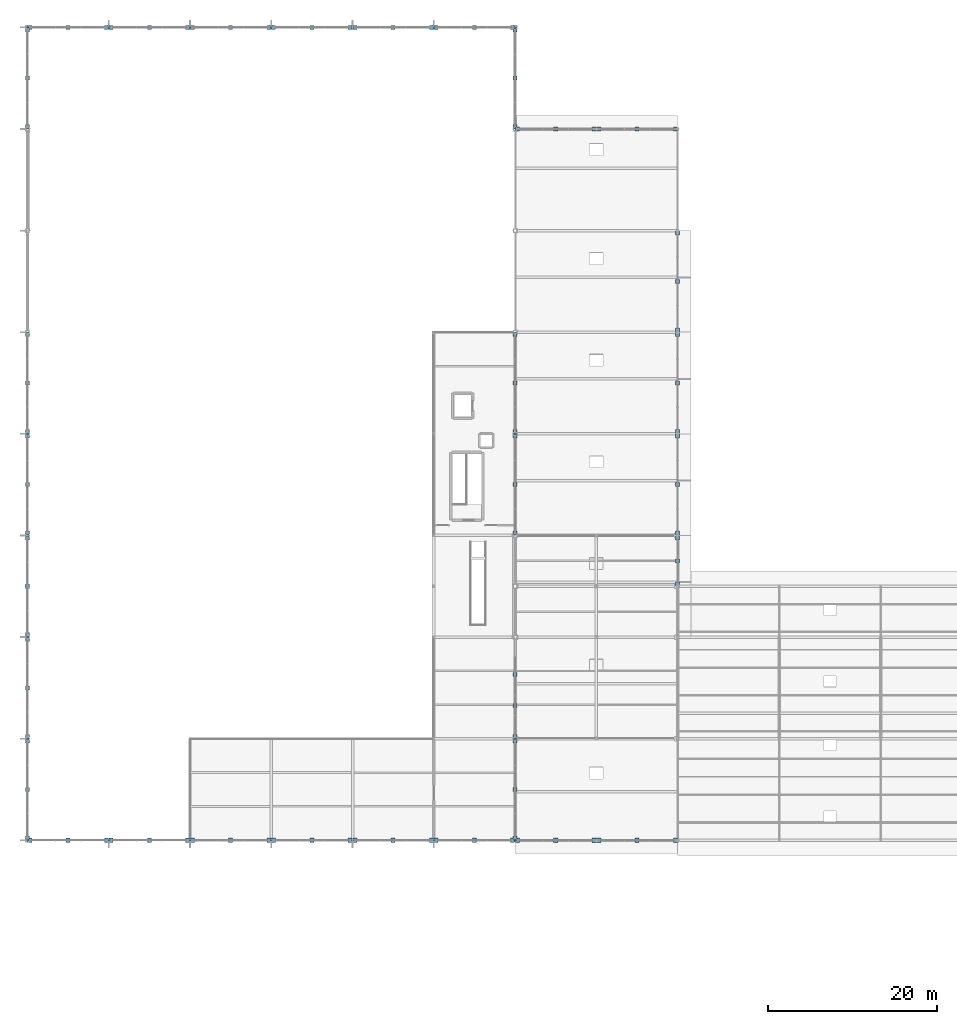
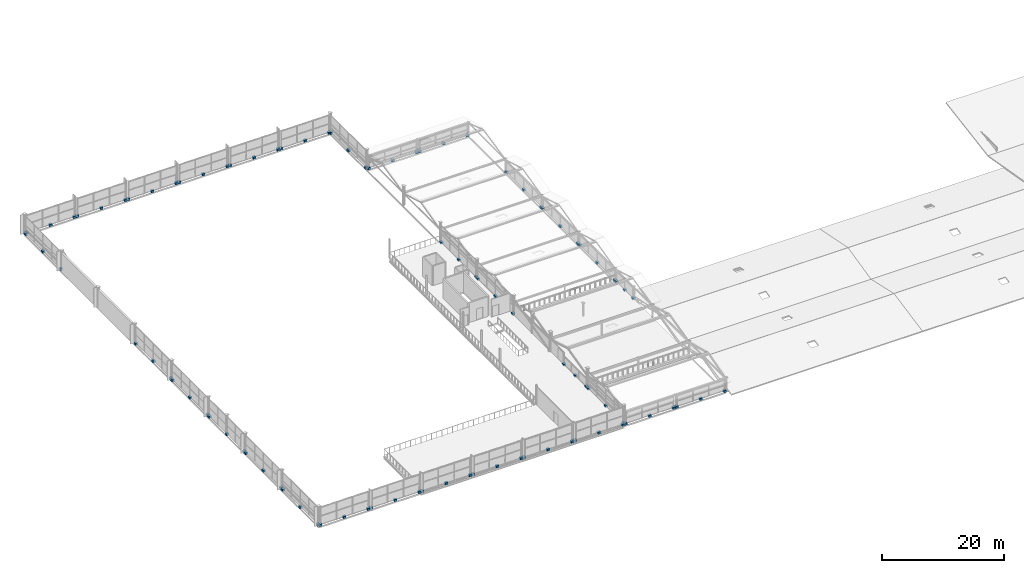
# One storey, part 110 of 117: 93 discrete accessories.
"""IFC4 building model written with IfcOpenShell, lengths in metres."""

import ifcopenshell
import ifcopenshell.guid

model = None  # the IFC model being written
_history = None  # IfcOwnerHistory: only IFC2X3 demands one
_inside = {}  # id of a spatial element -> (the spatial element, [elements in it])
_under = {}  # id of a project, library or spatial element -> (it, [spatial elements below it])
_declared = {}  # id of a project -> (the project, [libraries it declares])
_typed = {}  # id of a type object -> (the type object, [elements of that type])
_made_of = {}  # id of a material, layer set ... -> (it, [elements and type objects made of it])


def new_model(schema):
    """Start an empty IFC model of exactly this schema.

    Asked for "IFC4X3", IfcOpenShell would pick the latest addendum, in which some entities
    have other attributes; the version numbers below select the first issue.
    IFC2X3 requires an IfcOwnerHistory on every rooted entity: one is made here for all.
    """
    global model, _history
    if schema == "IFC4X3":
        model = ifcopenshell.file(schema_version=(4, 3, 0, 0))
    else:
        model = ifcopenshell.file(schema=schema)
    _inside.clear()
    _under.clear()
    _declared.clear()
    _typed.clear()
    _made_of.clear()
    _history = None
    if model.schema == "IFC2X3":
        org = make("IfcOrganization", Name="unknown")
        user = make(
            "IfcPersonAndOrganization",
            ThePerson=make("IfcPerson", FamilyName="unknown"),
            TheOrganization=org,
        )
        app = make(
            "IfcApplication",
            ApplicationDeveloper=org,
            Version="unknown",
            ApplicationFullName="unknown",
            ApplicationIdentifier="unknown",
        )
        _history = make(
            "IfcOwnerHistory",
            OwningUser=user,
            OwningApplication=app,
            ChangeAction="ADDED",
            CreationDate=0,
        )
    return model


def make(cls, **values):
    """One entity of the class cls with the attributes given. An attribute that is None is left unset."""
    return model.create_entity(
        cls, **{name: value for name, value in values.items() if value is not None}
    )


def rooted(cls, **values):
    """An entity with a GlobalId (a new one), such as an element, a storey or a relation."""
    return make(cls, GlobalId=ifcopenshell.guid.new(), OwnerHistory=_history, **values)


def si_unit(unit_type, name, prefix=None):
    """IfcSIUnit, for example si_unit("LENGTHUNIT", "METRE", prefix="MILLI")."""
    return make("IfcSIUnit", UnitType=unit_type, Prefix=prefix, Name=name)


def assignment(units):
    """IfcUnitAssignment: the units of a project."""
    return None if units is None else make("IfcUnitAssignment", Units=units)


def point(xyz):
    """IfcCartesianPoint."""
    return None if xyz is None else make("IfcCartesianPoint", Coordinates=xyz)


def direction(xyz):
    """IfcDirection."""
    return None if xyz is None else make("IfcDirection", DirectionRatios=xyz)


def frame(location, z_axis=None, x_axis=None):
    """IfcAxis2Placement3D, a coordinate frame: its origin and axes. An axis left out is left unset."""
    return make(
        "IfcAxis2Placement3D",
        Location=point(location),
        Axis=direction(z_axis),
        RefDirection=direction(x_axis),
    )


def frame_2d(location, x_axis=None):
    """IfcAxis2Placement2D, a coordinate frame in the plane: its origin and x axis."""
    return make(
        "IfcAxis2Placement2D", Location=point(location), RefDirection=direction(x_axis)
    )


def origin():
    """The frame at (0, 0, 0) with its axes left unset."""
    return frame((0.0, 0.0, 0.0))


def origin_2d():
    """The frame at (0, 0) in the plane with its x axis left unset."""
    return frame_2d((0.0, 0.0))


def place(relative_to, where):
    """IfcLocalPlacement: puts the frame where relative to a parent placement (None: the world)."""
    return make(
        "IfcLocalPlacement", PlacementRelTo=relative_to, RelativePlacement=where
    )


def context(
    kind, dimensions, precision=None, world=None, true_north=None, identifier=None
):
    """IfcGeometricRepresentationContext, for example the 3D "Model" context."""
    return make(
        "IfcGeometricRepresentationContext",
        ContextIdentifier=identifier,
        ContextType=kind,
        CoordinateSpaceDimension=dimensions,
        Precision=precision,
        WorldCoordinateSystem=world,
        TrueNorth=true_north,
    )


def subcontext(parent, identifier, kind, view, scale=None):
    """IfcGeometricRepresentationSubContext, for example "Body" below "Model"."""
    return make(
        "IfcGeometricRepresentationSubContext",
        ContextIdentifier=identifier,
        ContextType=kind,
        ParentContext=parent,
        TargetScale=scale,
        TargetView=view,
    )


def project(units=None, contexts=None):
    """IfcProject with its units and contexts."""
    return rooted(
        "IfcProject",
        Name="project",
        RepresentationContexts=contexts,
        UnitsInContext=assignment(units),
    )


def spatial(cls, under=None, at=None, **own):
    """A site, building, storey or space (cls), placed at a placement, below another one or the project."""
    s = rooted(cls, ObjectPlacement=at, **own)
    if under is not None:
        _under.setdefault(under.id(), (under, []))[1].append(s)
    return s


def profile(cls, at=None, kind="AREA", **sizes):
    """A parametric profile (cls). Its sizes go by their IFC names, for example OverallWidth=200.0."""
    return make(cls, ProfileType=kind, Position=at, **sizes)


def rectangle(**sizes):
    """IfcRectangleProfileDef."""
    return profile("IfcRectangleProfileDef", **sizes)


def extrude(swept, where, along, depth):
    """IfcExtrudedAreaSolid: the profile swept, set in the frame where, extruded along a direction by depth."""
    return make(
        "IfcExtrudedAreaSolid",
        SweptArea=swept,
        Position=where,
        ExtrudedDirection=direction(along),
        Depth=depth,
    )


def shape(context_of_items, identifier, shape_type, items):
    """IfcShapeRepresentation: the items that make up one representation, for example the "Body"."""
    return make(
        "IfcShapeRepresentation",
        ContextOfItems=context_of_items,
        RepresentationIdentifier=identifier,
        RepresentationType=shape_type,
        Items=items,
    )


def material(Name=None, Category=None):
    """IfcMaterial."""
    return make("IfcMaterial", Name=Name, Category=Category)


def layer(
    of_material, thickness, ventilated=None, Name=None, Category=None, Priority=None
):
    """IfcMaterialLayer: one layer of a wall or slab, of a material (None: an air gap)."""
    return make(
        "IfcMaterialLayer",
        Material=of_material,
        LayerThickness=thickness,
        IsVentilated=ventilated,
        Name=Name,
        Category=Category,
        Priority=Priority,
    )


def layer_set(layers, Name=None):
    """IfcMaterialLayerSet."""
    return make("IfcMaterialLayerSet", MaterialLayers=layers, LayerSetName=Name)


def made_of(thing, what):
    """Note that an element or type object is made of a material, layer set ...; save() writes the relation."""
    if what is not None:
        _made_of.setdefault(what.id(), (what, []))[1].append(thing)
    return thing


def type_object(cls, material=None, **own):
    """A type object (cls), such as IfcWallType, which elements share."""
    return made_of(rooted(cls, **own), material)


def element(
    cls,
    number,
    at=None,
    inside=None,
    cuts=None,
    type_object=None,
    material=None,
    context=None,
    identifier="Body",
    shape_type=None,
    held_by="IfcProductDefinitionShape",
    body=None,
    shapes=None,
    **own,
):
    """One element of the class cls, such as IfcWall. Its Tag is "e" and its number.

    at: its placement. inside: the storey or other place that contains it. cuts: it is an
    opening in that element (IfcRelVoidsElement). A single representation is given by context,
    identifier, shape_type and body (its items); several are given by shapes. held_by: the class
    of the entity that holds the representations. save() writes the other relations.
    """
    e = rooted(cls, Tag="e%d" % number, ObjectPlacement=at, **own)
    if body is not None:
        shapes = [shape(context, identifier, shape_type, body)]
    if shapes is not None:
        e.Representation = make(held_by, Representations=shapes)
    if inside is not None:
        _inside.setdefault(inside.id(), (inside, []))[1].append(e)
    if cuts is not None:
        rooted(
            "IfcRelVoidsElement", RelatingBuildingElement=cuts, RelatedOpeningElement=e
        )
    if type_object is not None:
        _typed.setdefault(type_object.id(), (type_object, []))[1].append(e)
    return made_of(e, material)


def aggregate(whole, parts):
    """IfcRelAggregates: a whole, such as a stair, and the parts it consists of."""
    return rooted("IfcRelAggregates", RelatingObject=whole, RelatedObjects=parts)


def save(model, path):
    """Write the relations noted so far, then the file.

    IfcRelAggregates (storeys below a building ...), IfcRelContainedInSpatialStructure (elements
    in a storey), IfcRelDefinesByType, IfcRelAssociatesMaterial and IfcRelDeclares: one each for
    every whole, place, type object, material and project.
    """
    for whole, parts in _under.values():
        aggregate(whole, parts)
    for where, things in _inside.values():
        rooted(
            "IfcRelContainedInSpatialStructure",
            RelatedElements=things,
            RelatingStructure=where,
        )
    for kind, things in _typed.values():
        rooted("IfcRelDefinesByType", RelatedObjects=things, RelatingType=kind)
    for what, things in _made_of.values():
        rooted("IfcRelAssociatesMaterial", RelatedObjects=things, RelatingMaterial=what)
    for by, libraries in _declared.values():
        rooted("IfcRelDeclares", RelatingContext=by, RelatedDefinitions=libraries)
    model.write(path)


model = new_model("IFC4")

# Units and contexts
model_context = context("Model", 3, precision=1e-05, world=origin(), true_north=direction((0.0, 1.0)))
body_context = subcontext(model_context, "Body", "Model", "MODEL_VIEW")
ifc_project = project(units=[si_unit("LENGTHUNIT", "METRE"), si_unit("AREAUNIT", "SQUARE_METRE"), si_unit("VOLUMEUNIT", "CUBIC_METRE"), si_unit("PLANEANGLEUNIT", "RADIAN"), si_unit("MASSUNIT", "GRAM", prefix="KILO")], contexts=[model_context])

# Site, building, storey
site_placement = place(None, origin())
site = spatial("IfcSite", under=ifc_project, at=site_placement, CompositionType="ELEMENT")
building_placement = place(site_placement, origin())
building = spatial("IfcBuilding", under=site, at=building_placement, Name="Merenkruunu Market Hall", CompositionType="ELEMENT")
storey_placement = place(building_placement, frame((0.0, 0.0, 10.199951171875)))
storey = spatial("IfcBuildingStorey", under=building, at=storey_placement, Name="L02", CompositionType="ELEMENT", Elevation=10.199951171875)

# Discrete accessories
ifc_material = material(Name="Brushed stainless steel", Category="steel")
ifc_layer = layer(ifc_material, 0.159912109375)
ifc_layer_set = layer_set([ifc_layer], Name="Brushed stainless steel")
discrete_accessory_type = type_object("IfcDiscreteAccessoryType", Name="Stainless Facade Support Bracket BRK01", PredefinedType="BRACKET", material=ifc_layer_set)
for number, where, z_axis, x_axis, name in (
    (1, (0.0, 15.8798828125, -0.199951171875), (0.0, 0.0, 1.0), (1.0, 0.0, 0.0), "ACC-CWBRK-003-1"),
    (2, (0.0, 21.60009765625, -0.199951171875), (0.0, 0.0, 1.0), (1.0, 0.0, 0.0), "ACC-CWBRK-003-2"),
    (3, (0.0, 27.320068359375, -0.199951171875), (0.0, 0.0, 1.0), (1.0, 0.0, 0.0), "ACC-CWBRK-003-3"),
    (4, (0.0, 27.8798828125, -0.199951171875), (0.0, 0.0, 1.0), (1.0, 0.0, 0.0), "ACC-CWBRK-006-1"),
    (5, (0.0, 33.60009765625, -0.199951171875), (0.0, 0.0, 1.0), (1.0, 0.0, 0.0), "ACC-CWBRK-006-2"),
    (6, (0.0, 39.320068359375, -0.199951171875), (0.0, 0.0, 1.0), (1.0, 0.0, 0.0), "ACC-CWBRK-006-3"),
    (7, (0.0, 39.8798828125, -0.199951171875), (0.0, 0.0, 1.0), (1.0, 0.0, 0.0), "ACC-CWBRK-009-1"),
    (8, (0.0, 45.60009765625, -0.199951171875), (0.0, 0.0, 1.0), (1.0, 0.0, 0.0), "ACC-CWBRK-009-2"),
    (9, (0.0, 51.320068359375, -0.199951171875), (0.0, 0.0, 1.0), (1.0, 0.0, 0.0), "ACC-CWBRK-009-3"),
    (10, (0.0, 51.8798828125, -0.199951171875), (0.0, 0.0, 1.0), (1.0, 0.0, 0.0), "ACC-CWBRK-012-1"),
    (11, (0.0, 57.60009765625, -0.199951171875), (0.0, 0.0, 1.0), (1.0, 0.0, 0.0), "ACC-CWBRK-012-2"),
    (12, (0.0, 63.320068359375, -0.199951171875), (0.0, 0.0, 1.0), (1.0, 0.0, 0.0), "ACC-CWBRK-012-3"),
    (13, (0.0, 63.8798828125, -0.199951171875), (0.0, 0.0, 1.0), (1.0, 0.0, 0.0), "ACC-CWBRK-015-1"),
    (14, (0.0, 69.60009765625, -0.199951171875), (0.0, 0.0, 1.0), (1.0, 0.0, 0.0), "ACC-CWBRK-015-2"),
    (15, (0.0, 75.320068359375, -0.199951171875), (0.0, 0.0, 1.0), (1.0, 0.0, 0.0), "ACC-CWBRK-015-3"),
    (16, (0.0, 99.8798828125, -0.199951171875), (0.0, 0.0, 1.0), (1.0, 0.0, 0.0), "ACC-CWBRK-018-1"),
    (17, (0.0, 105.60009765625, -0.199951171875), (0.0, 0.0, 1.0), (1.0, 0.0, 0.0), "ACC-CWBRK-018-2"),
    (18, (0.0, 111.320068359375, -0.199951171875), (0.0, 0.0, 1.0), (1.0, 0.0, 0.0), "ACC-CWBRK-018-3"),
    (19, (9.320068359375, 15.60009765625, -0.199951171875), (0.0, 0.0, 1.0), (1.0, 0.0, 0.0), "ACC-CWBRK-021-1"),
    (20, (4.800048828125, 15.60009765625, -0.199951171875), (0.0, 0.0, 1.0), (1.0, 0.0, 0.0), "ACC-CWBRK-021-2"),
    (21, (0.280029296875, 15.60009765625, -0.199951171875), (0.0, 0.0, 1.0), (1.0, 0.0, 0.0), "ACC-CWBRK-021-3"),
    (22, (18.919921875, 15.60009765625, -0.199951171875), (0.0, 0.0, 1.0), (1.0, 0.0, 0.0), "ACC-CWBRK-024-1"),
    (23, (14.39990234375, 15.60009765625, -0.199951171875), (0.0, 0.0, 1.0), (1.0, 0.0, 0.0), "ACC-CWBRK-024-2"),
    (24, (9.8798828125, 15.60009765625, -0.199951171875), (0.0, 0.0, 1.0), (1.0, 0.0, 0.0), "ACC-CWBRK-024-3"),
    (25, (28.52001953125, 15.60009765625, -0.199951171875), (0.0, 0.0, 1.0), (1.0, 0.0, 0.0), "ACC-CWBRK-027-1"),
    (26, (24.0, 15.60009765625, -0.199951171875), (0.0, 0.0, 1.0), (1.0, 0.0, 0.0), "ACC-CWBRK-027-2"),
    (27, (19.47998046875, 15.60009765625, -0.199951171875), (0.0, 0.0, 1.0), (1.0, 0.0, 0.0), "ACC-CWBRK-027-3"),
    (28, (38.1201171875, 15.60009765625, -0.199951171875), (0.0, 0.0, 1.0), (1.0, 0.0, 0.0), "ACC-CWBRK-030-1"),
    (29, (33.60009765625, 15.60009765625, -0.199951171875), (0.0, 0.0, 1.0), (1.0, 0.0, 0.0), "ACC-CWBRK-030-2"),
    (30, (29.080078125, 15.60009765625, -0.199951171875), (0.0, 0.0, 1.0), (1.0, 0.0, 0.0), "ACC-CWBRK-030-3"),
    (31, (47.719970703125, 15.60009765625, -0.199951171875), (0.0, 0.0, 1.0), (1.0, 0.0, 0.0), "ACC-CWBRK-033-1"),
    (32, (43.199951171875, 15.60009765625, -0.199951171875), (0.0, 0.0, 1.0), (1.0, 0.0, 0.0), "ACC-CWBRK-033-2"),
    (33, (38.679931640625, 15.60009765625, -0.199951171875), (0.0, 0.0, 1.0), (1.0, 0.0, 0.0), "ACC-CWBRK-033-3"),
    (34, (57.320068359375, 15.60009765625, -0.199951171875), (0.0, 0.0, 1.0), (1.0, 0.0, 0.0), "ACC-CWBRK-036-1"),
    (35, (52.800048828125, 15.60009765625, -0.199951171875), (0.0, 0.0, 1.0), (1.0, 0.0, 0.0), "ACC-CWBRK-036-2"),
    (36, (48.280029296875, 15.60009765625, -0.199951171875), (0.0, 0.0, 1.0), (1.0, 0.0, 0.0), "ACC-CWBRK-036-3"),
    (37, (0.280029296875, 111.60009765625, -0.199951171875), (0.0, 0.0, 1.0), (1.0, 0.0, 0.0), "ACC-CWBRK-053-1"),
    (38, (4.800048828125, 111.60009765625, -0.199951171875), (0.0, 0.0, 1.0), (1.0, 0.0, 0.0), "ACC-CWBRK-053-2"),
    (39, (9.320068359375, 111.60009765625, -0.199951171875), (0.0, 0.0, 1.0), (1.0, 0.0, 0.0), "ACC-CWBRK-053-3"),
    (40, (9.8798828125, 111.60009765625, -0.199951171875), (0.0, 0.0, 1.0), (1.0, 0.0, 0.0), "ACC-CWBRK-055-1"),
    (41, (14.39990234375, 111.60009765625, -0.199951171875), (0.0, 0.0, 1.0), (1.0, 0.0, 0.0), "ACC-CWBRK-055-2"),
    (42, (18.919921875, 111.60009765625, -0.199951171875), (0.0, 0.0, 1.0), (1.0, 0.0, 0.0), "ACC-CWBRK-055-3"),
    (43, (19.47998046875, 111.60009765625, -0.199951171875), (0.0, 0.0, 1.0), (1.0, 0.0, 0.0), "ACC-CWBRK-058-1"),
    (44, (24.0, 111.60009765625, -0.199951171875), (0.0, 0.0, 1.0), (1.0, 0.0, 0.0), "ACC-CWBRK-058-2"),
    (45, (28.52001953125, 111.60009765625, -0.199951171875), (0.0, 0.0, 1.0), (1.0, 0.0, 0.0), "ACC-CWBRK-058-3"),
    (46, (29.080078125, 111.60009765625, -0.199951171875), (0.0, 0.0, 1.0), (1.0, 0.0, 0.0), "ACC-CWBRK-061-1"),
    (47, (33.60009765625, 111.60009765625, -0.199951171875), (0.0, 0.0, 1.0), (1.0, 0.0, 0.0), "ACC-CWBRK-061-2"),
    (48, (38.1201171875, 111.60009765625, -0.199951171875), (0.0, 0.0, 1.0), (1.0, 0.0, 0.0), "ACC-CWBRK-061-3"),
    (49, (38.679931640625, 111.60009765625, -0.199951171875), (0.0, 0.0, 1.0), (1.0, 0.0, 0.0), "ACC-CWBRK-064-1"),
    (50, (43.199951171875, 111.60009765625, -0.199951171875), (0.0, 0.0, 1.0), (1.0, 0.0, 0.0), "ACC-CWBRK-064-2"),
    (51, (47.719970703125, 111.60009765625, -0.199951171875), (0.0, 0.0, 1.0), (1.0, 0.0, 0.0), "ACC-CWBRK-064-3"),
    (52, (48.280029296875, 111.60009765625, -0.199951171875), (0.0, 0.0, 1.0), (1.0, 0.0, 0.0), "ACC-CWBRK-066-1"),
    (53, (52.800048828125, 111.60009765625, -0.199951171875), (0.0, 0.0, 1.0), (1.0, 0.0, 0.0), "ACC-CWBRK-066-2"),
    (54, (57.320068359375, 111.60009765625, -0.199951171875), (0.0, 0.0, 1.0), (1.0, 0.0, 0.0), "ACC-CWBRK-066-3"),
    (55, (57.60009765625, 15.8798828125, -0.199951171875), (0.0, 0.0, 1.0), (1.0, 0.0, 0.0), "ACC-CWBRK-123-1"),
    (56, (57.60009765625, 21.60009765625, -0.199951171875), (0.0, 0.0, 1.0), (1.0, 0.0, 0.0), "ACC-CWBRK-123-2"),
    (57, (57.60009765625, 27.320068359375, -0.199951171875), (0.0, 0.0, 1.0), (1.0, 0.0, 0.0), "ACC-CWBRK-123-3"),
    (58, (57.60009765625, 27.8798828125, -0.199951171875), (0.0, 0.0, 1.0), (1.0, 0.0, 0.0), "ACC-CWBRK-126-1"),
    (59, (57.60009765625, 31.5400390625, -0.199951171875), (0.0, 0.0, 1.0), (1.0, 0.0, 0.0), "ACC-CWBRK-126-2"),
    (60, (57.60009765625, 35.199951171875, -0.199951171875), (0.0, 0.0, 1.0), (1.0, 0.0, 0.0), "ACC-CWBRK-126-3"),
    (61, (57.60009765625, 51.8798828125, -0.199951171875), (0.0, 0.0, 1.0), (1.0, 0.0, 0.0), "ACC-CWBRK-129-1"),
    (62, (57.60009765625, 57.60009765625, -0.199951171875), (0.0, 0.0, 1.0), (1.0, 0.0, 0.0), "ACC-CWBRK-129-2"),
    (63, (57.60009765625, 63.320068359375, -0.199951171875), (0.0, 0.0, 1.0), (1.0, 0.0, 0.0), "ACC-CWBRK-129-3"),
    (64, (57.60009765625, 63.8798828125, -0.199951171875), (0.0, 0.0, 1.0), (1.0, 0.0, 0.0), "ACC-CWBRK-132-1"),
    (65, (57.60009765625, 69.60009765625, -0.199951171875), (0.0, 0.0, 1.0), (1.0, 0.0, 0.0), "ACC-CWBRK-132-2"),
    (66, (57.60009765625, 75.320068359375, -0.199951171875), (0.0, 0.0, 1.0), (1.0, 0.0, 0.0), "ACC-CWBRK-132-3"),
    (67, (57.60009765625, 111.320068359375, -0.199951171875), (0.0, 0.0, 1.0), (1.0, 0.0, 0.0), "ACC-CWBRK-138-1"),
    (68, (57.60009765625, 105.60009765625, -0.199951171875), (0.0, 0.0, 1.0), (1.0, 0.0, 0.0), "ACC-CWBRK-138-2"),
    (69, (57.60009765625, 99.8798828125, -0.199951171875), (0.0, 0.0, 1.0), (1.0, 0.0, 0.0), "ACC-CWBRK-138-3"),
    (70, (66.919921875, 15.60009765625, -0.199951171875), (0.0, 0.0, 1.0), (1.0, 0.0, 0.0), "ACC-CWBRK-141-1"),
    (71, (62.39990234375, 15.60009765625, -0.199951171875), (0.0, 0.0, 1.0), (1.0, 0.0, 0.0), "ACC-CWBRK-141-2"),
    (72, (57.8798828125, 15.60009765625, -0.199951171875), (0.0, 0.0, 1.0), (1.0, 0.0, 0.0), "ACC-CWBRK-141-3"),
    (73, (57.8798828125, 99.60009765625, -0.199951171875), (0.0, 0.0, 1.0), (1.0, 0.0, 0.0), "ACC-CWBRK-144-1"),
    (74, (62.39990234375, 99.60009765625, -0.199951171875), (0.0, 0.0, 1.0), (1.0, 0.0, 0.0), "ACC-CWBRK-144-2"),
    (75, (66.919921875, 99.60009765625, -0.199951171875), (0.0, 0.0, 1.0), (1.0, 0.0, 0.0), "ACC-CWBRK-144-3"),
    (76, (76.52001953125, 15.60009765625, -0.199951171875), (0.0, 0.0, 1.0), (1.0, 0.0, 0.0), "ACC-CWBRK-147-1"),
    (77, (72.0, 15.60009765625, -0.199951171875), (0.0, 0.0, 1.0), (1.0, 0.0, 0.0), "ACC-CWBRK-147-2"),
    (78, (67.47998046875, 15.60009765625, -0.199951171875), (0.0, 0.0, 1.0), (1.0, 0.0, 0.0), "ACC-CWBRK-147-3"),
    (79, (67.47998046875, 99.60009765625, -0.199951171875), (0.0, 0.0, 1.0), (1.0, 0.0, 0.0), "ACC-CWBRK-150-1"),
    (80, (72.0, 99.60009765625, -0.199951171875), (0.0, 0.0, 1.0), (1.0, 0.0, 0.0), "ACC-CWBRK-150-2"),
    (81, (76.52001953125, 99.60009765625, -0.199951171875), (0.0, 0.0, 1.0), (1.0, 0.0, 0.0), "ACC-CWBRK-150-3"),
    (82, (76.800048828125, 51.320068359375, -0.199951171875), (0.0, 0.0, 1.0), (1.0, 0.0, 0.0), "ACC-CWBRK-158-1"),
    (83, (76.800048828125, 48.60009765625, -0.199951171875), (0.0, 0.0, 1.0), (1.0, 0.0, 0.0), "ACC-CWBRK-158-2"),
    (84, (76.800048828125, 45.8798828125, -0.199951171875), (0.0, 0.0, 1.0), (1.0, 0.0, 0.0), "ACC-CWBRK-158-3"),
    (85, (76.800048828125, 63.320068359375, -0.199951171875), (0.0, 0.0, 1.0), (1.0, 0.0, 0.0), "ACC-CWBRK-161-1"),
    (86, (76.800048828125, 57.60009765625, -0.199951171875), (0.0, 0.0, 1.0), (1.0, 0.0, 0.0), "ACC-CWBRK-161-2"),
    (87, (76.800048828125, 51.8798828125, -0.199951171875), (0.0, 0.0, 1.0), (1.0, 0.0, 0.0), "ACC-CWBRK-161-3"),
    (88, (76.800048828125, 75.320068359375, -0.199951171875), (0.0, 0.0, 1.0), (1.0, 0.0, 0.0), "ACC-CWBRK-164-1"),
    (89, (76.800048828125, 69.60009765625, -0.199951171875), (0.0, 0.0, 1.0), (1.0, 0.0, 0.0), "ACC-CWBRK-164-2"),
    (90, (76.800048828125, 63.8798828125, -0.199951171875), (0.0, 0.0, 1.0), (1.0, 0.0, 0.0), "ACC-CWBRK-164-3"),
    (91, (76.800048828125, 87.320068359375, -0.199951171875), (0.0, 0.0, 1.0), (1.0, 0.0, 0.0), "ACC-CWBRK-167-1"),
    (92, (76.800048828125, 81.60009765625, -0.199951171875), (0.0, 0.0, 1.0), (1.0, 0.0, 0.0), "ACC-CWBRK-167-2"),
    (93, (76.800048828125, 75.8798828125, -0.199951171875), (0.0, 0.0, 1.0), (1.0, 0.0, 0.0), "ACC-CWBRK-167-3"),
):
    element("IfcDiscreteAccessory", number, at=place(storey_placement, frame(where, z_axis=z_axis, x_axis=x_axis)), inside=storey, type_object=discrete_accessory_type, Name=name, PredefinedType="BRACKET", context=body_context, shape_type="SweptSolid", body=[
        extrude(rectangle(XDim=0.47998046875, YDim=0.47998046875, at=origin_2d()), origin(), (0.0, 0.0, 1.0), 0.39990234375),
    ])

save(model, "model.ifc")
